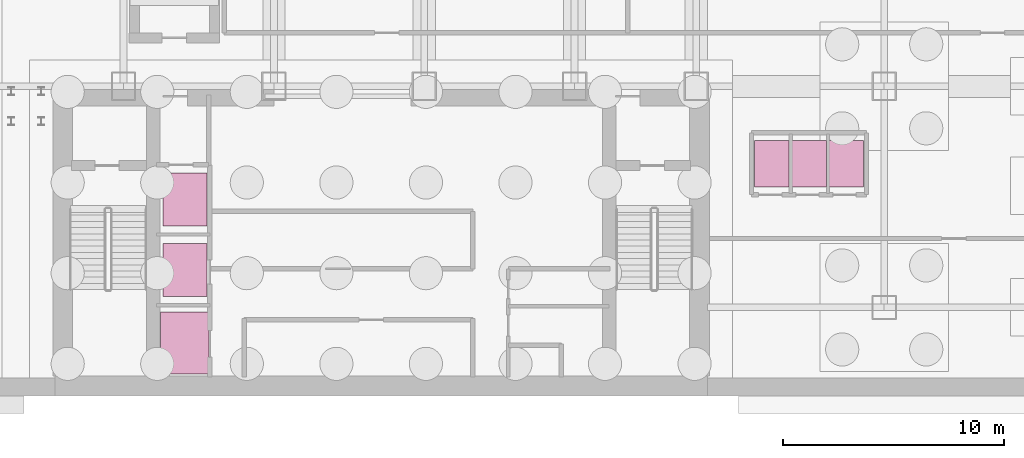
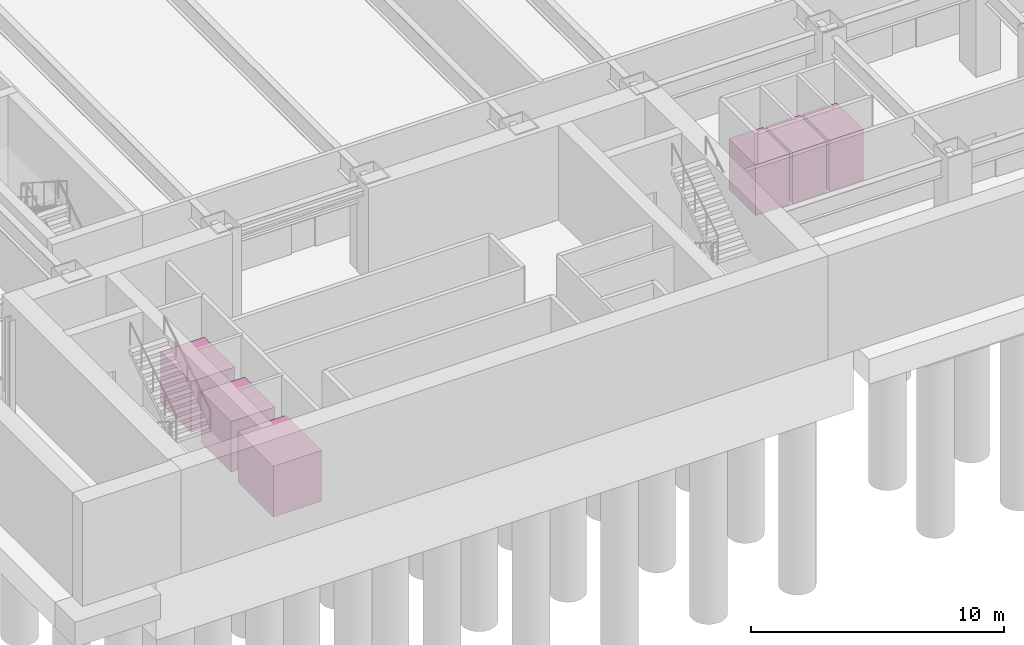
# One storey, part 17 of 17: 6 transport elements.
"""IFC4 building model written with IfcOpenShell, lengths in metres."""

from ifc_helpers import new_model, si_unit, derived_unit, direction, frame, origin, origin_2d, place, context, subcontext, project, spatial, rectangle, extrude, source, transform, mapped, material, type_object, element, save


model = new_model("IFC4")

# Units and contexts
model_context = context("Model", 3, precision=1e-05, world=origin(), true_north=direction((0.0, 1.0)))
body_context = subcontext(model_context, "Body", "Model", "MODEL_VIEW")
ifc_project = project(units=[si_unit("LENGTHUNIT", "METRE"), si_unit("AREAUNIT", "SQUARE_METRE"), si_unit("VOLUMEUNIT", "CUBIC_METRE"), si_unit("PLANEANGLEUNIT", "RADIAN"), si_unit("MASSUNIT", "GRAM", prefix="KILO"), derived_unit("THERMALTRANSMITTANCEUNIT", [(si_unit("POWERUNIT", "WATT"), 1), (si_unit("LENGTHUNIT", "METRE"), -2), (si_unit("THERMODYNAMICTEMPERATUREUNIT", "KELVIN"), -1)])], contexts=[model_context])

# Site, building, storey
site_placement = place(None, origin())
site = spatial("IfcSite", under=ifc_project, at=site_placement, CompositionType="ELEMENT")
building_placement = place(site_placement, origin())
building = spatial("IfcBuilding", under=site, at=building_placement, Name="Skarnbrae Concourse Arena and Tower", CompositionType="ELEMENT")
storey_placement = place(building_placement, frame((0.0, 0.0, -10.0)))
storey = spatial("IfcBuildingStorey", under=building, at=storey_placement, Name="B02", CompositionType="ELEMENT", Elevation=-10.0)

# Transport elements
ifc_material = material(Name="Brushed stainless steel elevator cab", Category="steel")
transport_element_type_1 = type_object("IfcTransportElementType", Name="LIFT-FF-2000X2400", PredefinedType="ELEVATOR", material=ifc_material)
shared_shape_1 = source(origin(), body_context, "Body", "SweptSolid", [
    extrude(rectangle(XDim=2.0, YDim=2.39990234375, at=origin_2d()), origin(), (0.0, 0.0, 1.0), 2.449951171875),
])
for number, where, z_axis, x_axis, name in (
    (1, (10.375, 8.875, 0.4501953125), (0.0, 0.0, 1.0), (1.0, 0.0, 0.0), "Firefighting Elevator FL-01 car"),
    (2, (10.375, 5.699951171875, 0.4501953125), (0.0, 0.0, 1.0), (1.0, 0.0, 0.0), "Firefighting Elevator FL-02 car"),
):
    element("IfcTransportElement", number, at=place(storey_placement, frame(where, z_axis=z_axis, x_axis=x_axis)), inside=storey, type_object=transport_element_type_1, Name=name, PredefinedType="ELEVATOR", context=body_context, shape_type="MappedRepresentation", body=[
        mapped(shared_shape_1, transform((0.0, 0.0, 0.0))),
    ])
transport_element_type_2 = type_object("IfcTransportElementType", Name="LIFT-SV-2200X2800", PredefinedType="ELEVATOR", material=ifc_material)
shared_shape_2 = source(origin(), body_context, "Body", "SweptSolid", [
    extrude(rectangle(XDim=2.199951171875, YDim=2.800048828125, at=origin_2d()), origin(), (0.0, 0.0, 1.0), 2.449951171875),
])
transport_element_placement = place(storey_placement, frame((10.375, 2.39990234375, 0.4501953125), z_axis=(0.0, 0.0, 1.0), x_axis=(1.0, 0.0, 0.0)))
element("IfcTransportElement", 3, at=transport_element_placement, inside=storey, type_object=transport_element_type_2, Name="Service Elevator SV-01 car", PredefinedType="ELEVATOR", context=body_context, shape_type="MappedRepresentation", body=[
    mapped(shared_shape_2, transform((0.0, 0.0, 0.0))),
])
transport_element_type_3 = type_object("IfcTransportElementType", Name="LIFT-POD-1800X2100", PredefinedType="ELEVATOR", material=ifc_material)
shared_shape_3 = source(origin(), body_context, "Body", "SweptSolid", [
    extrude(rectangle(XDim=1.56005859375, YDim=2.10009765625, at=origin_2d()), origin(), (0.0, 0.0, 1.0), 2.449951171875),
])
for number, where, z_axis, x_axis, name in (
    (4, (36.919921875, 10.5, 0.4501953125), (0.0, 0.0, 1.0), (1.0, 0.0, 0.0), "Passenger Elevator PL-P1 car"),
    (5, (38.60009765625, 10.5, 0.4501953125), (0.0, 0.0, 1.0), (1.0, 0.0, 0.0), "Passenger Elevator PL-P2 car"),
    (6, (40.280029296875, 10.5, 0.4501953125), (0.0, 0.0, 1.0), (1.0, 0.0, 0.0), "Passenger Elevator PL-P3 car"),
):
    element("IfcTransportElement", number, at=place(storey_placement, frame(where, z_axis=z_axis, x_axis=x_axis)), inside=storey, type_object=transport_element_type_3, Name=name, PredefinedType="ELEVATOR", context=body_context, shape_type="MappedRepresentation", body=[
        mapped(shared_shape_3, transform((0.0, 0.0, 0.0))),
    ])

save(model, "model.ifc")
